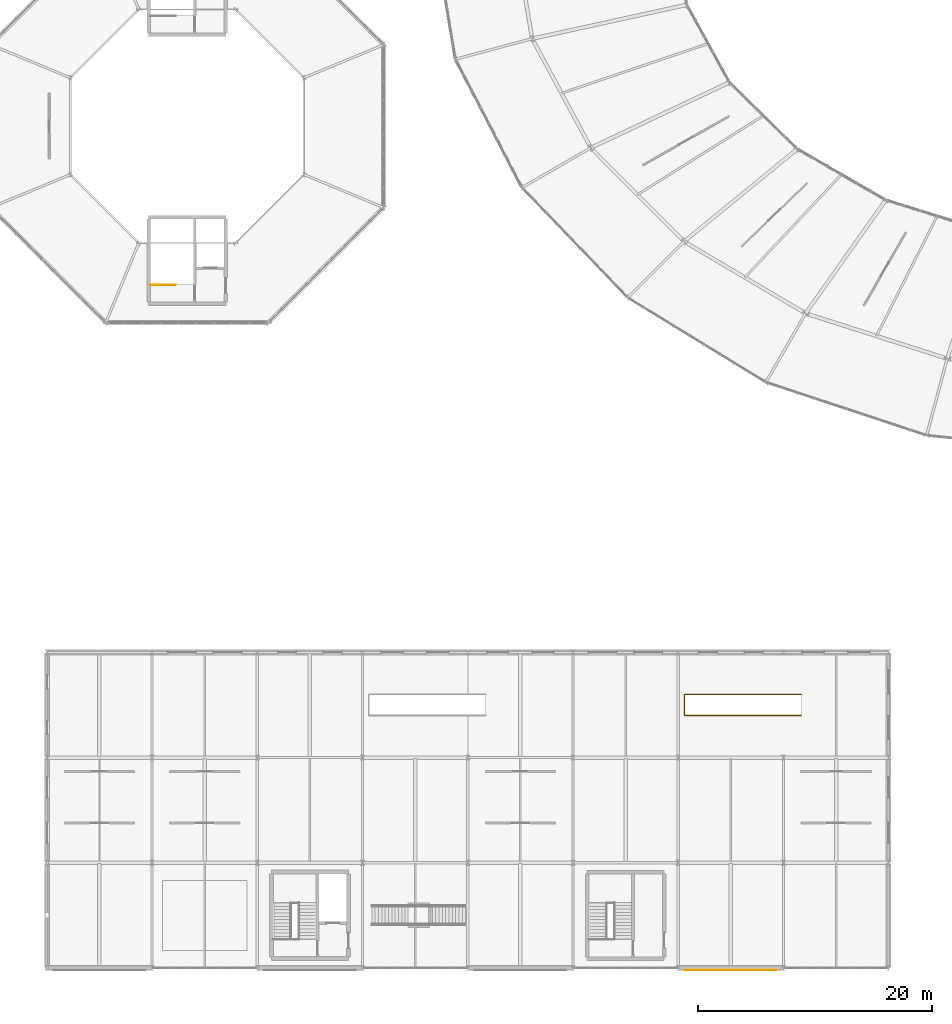
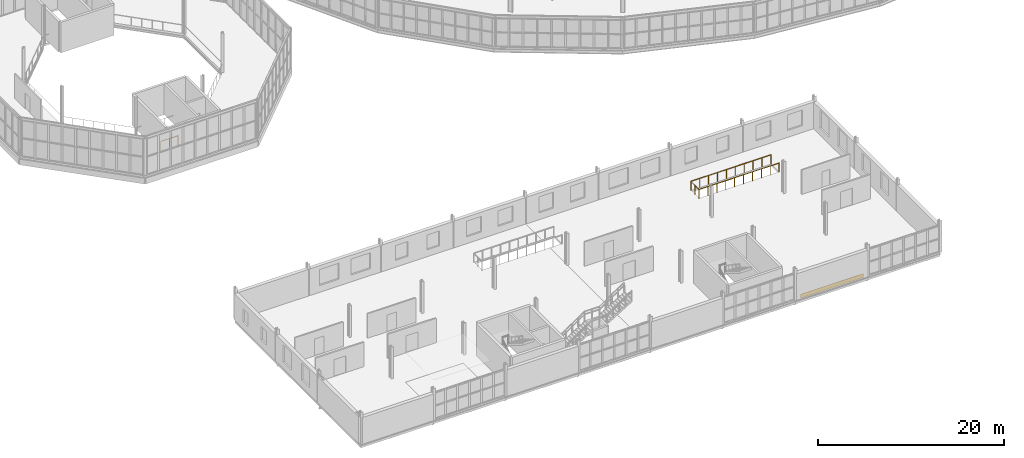
# One storey, part 152 of 161: 2 railings, 1 covering.
"""IFC4 building model written with IfcOpenShell, lengths in metres."""

from ifc_helpers import new_model, si_unit, direction, frame, origin, origin_2d, place, context, subcontext, project, spatial, rectangle, circle, extrude, material, layer, layer_set, type_object, element, save


model = new_model("IFC4")

# Units and contexts
model_context = context("Model", 3, precision=1e-05, world=origin(), true_north=direction((0.0, 1.0)))
body_context = subcontext(model_context, "Body", "Model", "MODEL_VIEW")
ifc_project = project(units=[si_unit("LENGTHUNIT", "METRE"), si_unit("AREAUNIT", "SQUARE_METRE"), si_unit("VOLUMEUNIT", "CUBIC_METRE"), si_unit("PLANEANGLEUNIT", "RADIAN"), si_unit("MASSUNIT", "GRAM", prefix="KILO")], contexts=[model_context])

# Site, building, storey
site_placement = place(None, origin())
site = spatial("IfcSite", under=ifc_project, at=site_placement, CompositionType="ELEMENT")
building_placement = place(site_placement, origin())
building = spatial("IfcBuilding", under=site, at=building_placement, Name="Kildeholm Park Wholesale Market", CompositionType="ELEMENT")
storey_placement = place(building_placement, frame((0.0, 0.0, 5.39990234375)))
storey = spatial("IfcBuildingStorey", under=building, at=storey_placement, Name="L01", CompositionType="ELEMENT", Elevation=5.39990234375)

# Railings
ifc_material_1 = material(Name="Painted steel and laminated glass balustrade", Category="steel")
railing_type = type_object("IfcRailingType", Name="Interior gallery and stairwell guard GR-IN1 1200 mm", PredefinedType="GUARDRAIL", material=ifc_material_1)
railing_1_placement = place(storey_placement, frame((17.860107421875, 58.429931640625, 0.0)))
element("IfcRailing", 1, at=railing_1_placement, inside=storey, type_object=railing_type, Name="Stair C14 upper floor well guard L01 RLG-0147", PredefinedType="GUARDRAIL", context=body_context, shape_type="SweptSolid", body=[
    extrude(circle(Radius=0.02392578125, at=origin_2d()), frame((0.0, 0.0, 1.17578125), z_axis=(1.0, 0.0, 0.0), x_axis=(0.0, 1.0, 0.0)), (0.0, 0.0, 1.0), 2.14990234375),
    extrude(circle(Radius=0.02099609375, at=origin_2d()), origin(), (0.0, 0.0, 1.0), 1.15185546875),
    extrude(circle(Radius=0.02099609375, at=origin_2d()), frame((1.074951171875, 0.0, 0.0)), (0.0, 0.0, 1.0), 1.15185546875),
    extrude(circle(Radius=0.02099609375, at=origin_2d()), frame((2.14990234375, 0.0, 0.0)), (0.0, 0.0, 1.0), 1.15185546875),
])
railing_2_placement = place(storey_placement, frame((73.510009765625, 21.610107421875, 0.0)))
element("IfcRailing", 2, at=railing_2_placement, inside=storey, type_object=railing_type, Name="Feature stair well guard ST-FT03 RLG-0168", PredefinedType="GUARDRAIL", context=body_context, shape_type="SweptSolid", body=[
    extrude(circle(Radius=0.02392578125, at=origin_2d()), frame((0.0, 0.0, 1.17578125), z_axis=(-1.0, 0.0, 0.0), x_axis=(0.0, -1.0, 0.0)), (0.0, 0.0, 1.0), 9.9599609375),
    extrude(circle(Radius=0.02392578125, at=origin_2d()), frame((-9.9599609375, 0.0, 1.17578125), z_axis=(0.0, 1.0, 0.0), x_axis=(-1.0, 0.0, 0.0)), (0.0, 0.0, 1.0), 1.77978515625),
    extrude(circle(Radius=0.02392578125, at=origin_2d()), frame((-9.9599609375, 1.77978515625, 1.17578125), z_axis=(1.0, 0.0, 0.0), x_axis=(0.0, 1.0, 0.0)), (0.0, 0.0, 1.0), 9.9599609375),
    extrude(circle(Radius=0.02099609375, at=origin_2d()), origin(), (0.0, 0.0, 1.0), 1.15185546875),
    extrude(circle(Radius=0.02099609375, at=origin_2d()), frame((-1.106689453125, 0.0, 0.0)), (0.0, 0.0, 1.0), 1.15185546875),
    extrude(circle(Radius=0.02099609375, at=origin_2d()), frame((-2.21337890625, 0.0, 0.0)), (0.0, 0.0, 1.0), 1.15185546875),
    extrude(circle(Radius=0.02099609375, at=origin_2d()), frame((-3.320068359375, 0.0, 0.0)), (0.0, 0.0, 1.0), 1.15185546875),
    extrude(circle(Radius=0.02099609375, at=origin_2d()), frame((-4.4267578125, 0.0, 0.0)), (0.0, 0.0, 1.0), 1.15185546875),
    extrude(circle(Radius=0.02099609375, at=origin_2d()), frame((-5.533203125, 0.0, 0.0)), (0.0, 0.0, 1.0), 1.15185546875),
    extrude(circle(Radius=0.02099609375, at=origin_2d()), frame((-6.639892578125, 0.0, 0.0)), (0.0, 0.0, 1.0), 1.15185546875),
    extrude(circle(Radius=0.02099609375, at=origin_2d()), frame((-7.74658203125, 0.0, 0.0)), (0.0, 0.0, 1.0), 1.15185546875),
    extrude(circle(Radius=0.02099609375, at=origin_2d()), frame((-8.853271484375, 0.0, 0.0)), (0.0, 0.0, 1.0), 1.15185546875),
    extrude(circle(Radius=0.02099609375, at=origin_2d()), frame((-9.9599609375, 0.0, 0.0)), (0.0, 0.0, 1.0), 1.15185546875),
    extrude(circle(Radius=0.02099609375, at=origin_2d()), frame((-9.9599609375, 0.889892578125, 0.0)), (0.0, 0.0, 1.0), 1.15185546875),
    extrude(circle(Radius=0.02099609375, at=origin_2d()), frame((-9.9599609375, 1.77978515625, 0.0)), (0.0, 0.0, 1.0), 1.15185546875),
    extrude(circle(Radius=0.02099609375, at=origin_2d()), frame((-8.853271484375, 1.77978515625, 0.0)), (0.0, 0.0, 1.0), 1.15185546875),
    extrude(circle(Radius=0.02099609375, at=origin_2d()), frame((-7.74658203125, 1.77978515625, 0.0)), (0.0, 0.0, 1.0), 1.15185546875),
    extrude(circle(Radius=0.02099609375, at=origin_2d()), frame((-6.639892578125, 1.77978515625, 0.0)), (0.0, 0.0, 1.0), 1.15185546875),
    extrude(circle(Radius=0.02099609375, at=origin_2d()), frame((-5.533203125, 1.77978515625, 0.0)), (0.0, 0.0, 1.0), 1.15185546875),
    extrude(circle(Radius=0.02099609375, at=origin_2d()), frame((-4.4267578125, 1.77978515625, 0.0)), (0.0, 0.0, 1.0), 1.15185546875),
    extrude(circle(Radius=0.02099609375, at=origin_2d()), frame((-3.320068359375, 1.77978515625, 0.0)), (0.0, 0.0, 1.0), 1.15185546875),
    extrude(circle(Radius=0.02099609375, at=origin_2d()), frame((-2.21337890625, 1.77978515625, 0.0)), (0.0, 0.0, 1.0), 1.15185546875),
    extrude(circle(Radius=0.02099609375, at=origin_2d()), frame((-1.106689453125, 1.77978515625, 0.0)), (0.0, 0.0, 1.0), 1.15185546875),
    extrude(circle(Radius=0.02099609375, at=origin_2d()), frame((0.0, 1.77978515625, 0.0)), (0.0, 0.0, 1.0), 1.15185546875),
])

# Covering
ifc_material_2 = material(Name="Polychrome broken-tile glazed ceramic mosaic")
ifc_layer = layer(ifc_material_2, 0.034912109375)
ifc_layer_set = layer_set([ifc_layer], Name="Polychrome broken-tile glazed ceramic mosaic")
covering_type = type_object("IfcCoveringType", Name="Polychrome ceramic mosaic spandrel cladding CV-CL1", PredefinedType="CLADDING", material=ifc_layer_set)
covering_placement = place(storey_placement, frame((67.5, -0.179931640625, 0.10009765625), z_axis=(0.0, 0.0, 1.0), x_axis=(1.0, 0.0, 0.0)))
element("IfcCovering", 3, at=covering_placement, inside=storey, type_object=covering_type, Name="Polychrome ceramic mosaic spandrel V5W-L01-7 COV-0028", PredefinedType="CLADDING", context=body_context, shape_type="SweptSolid", body=[
    extrude(rectangle(XDim=7.800048828125, YDim=0.034912109375, at=origin_2d()), origin(), (0.0, 0.0, 1.0), 0.5),
])

save(model, "model.ifc")
